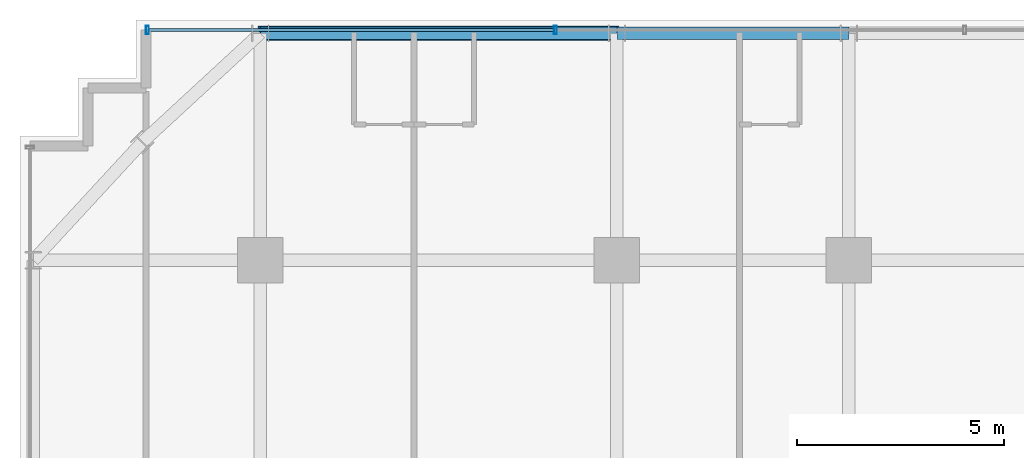
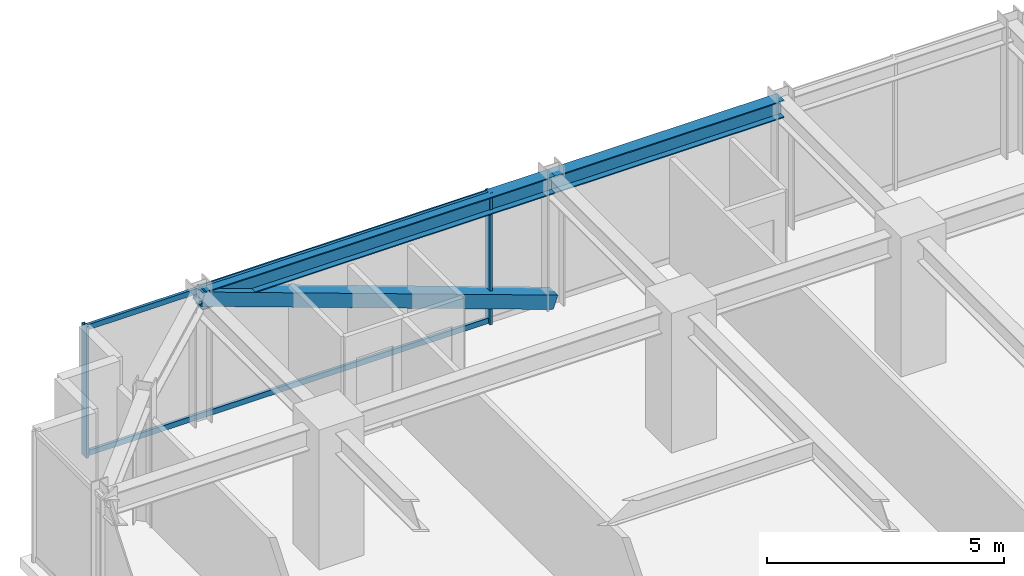
# One storey, part 23 of 38: 5 members, 2 beams, 1 element without a shape of its own.
"""IFC4 building model written with IfcOpenShell, lengths in metres."""

from ifc_helpers import new_model, si_unit, direction, frame, origin, origin_2d, place, context, subcontext, project, spatial, hollow_rectangle, i_section, extrude, source, transform, mapped, material, material_profile, profile_set, type_object, element, aggregate, save


model = new_model("IFC4")

# Units and contexts
model_context = context("Model", 3, precision=1e-05, world=origin(), true_north=direction((0.0, 1.0)))
body_context = subcontext(model_context, "Body", "Model", "MODEL_VIEW")
ifc_project = project(units=[si_unit("LENGTHUNIT", "METRE"), si_unit("AREAUNIT", "SQUARE_METRE"), si_unit("VOLUMEUNIT", "CUBIC_METRE"), si_unit("PLANEANGLEUNIT", "RADIAN"), si_unit("MASSUNIT", "GRAM", prefix="KILO")], contexts=[model_context])

# Site, building, storey
site_placement = place(None, origin())
site = spatial("IfcSite", under=ifc_project, at=site_placement, CompositionType="ELEMENT")
building_placement = place(site_placement, origin())
building = spatial("IfcBuilding", under=site, at=building_placement, Name="Nahalor Promenade Grand Hotel", CompositionType="ELEMENT")
storey_placement = place(building_placement, frame((0.0, 0.0, 163.60009765625)))
storey = spatial("IfcBuildingStorey", under=building, at=storey_placement, Name="L41", CompositionType="ELEMENT", Elevation=163.60009765625)

# Beams
ifc_material_1 = material(Name="Steel S355JR", Category="steel")
ifc_material_profile_1 = material_profile(ifc_material_1, i_section(OverallWidth=0.3, OverallDepth=0.45, WebThickness=0.014, FlangeThickness=0.026, at=origin_2d()), Name="HEB 450")
ifc_profile_set_1 = profile_set([ifc_material_profile_1], Name="Steel S355JR")
beam_type = type_object("IfcBeamType", Name="Beam-Spandrel-HEB450", PredefinedType="SPANDREL", material=ifc_profile_set_1)
shared_shape_1 = source(origin(), body_context, "Body", "SweptSolid", [
    extrude(i_section(OverallWidth=0.3, OverallDepth=0.45, WebThickness=0.014, FlangeThickness=0.026, at=origin_2d()), origin(), (0.0, 0.0, 1.0), 8.60009765625),
])
beam_1_placement = place(storey_placement, frame((-17.0, 22.47998046875, 3.164794921875), z_axis=(1.0, 0.0, 0.0), x_axis=(0.0, 1.0, 0.0)))
element("IfcBeam", 1, at=beam_1_placement, inside=storey, type_object=beam_type, Name="BM-L41-SP-N-0", PredefinedType="SPANDREL", context=body_context, shape_type="MappedRepresentation", body=[
    mapped(shared_shape_1, transform((0.0, 0.0, 0.0), scale=1.0)),
])
shared_shape_2 = source(origin(), body_context, "Body", "SweptSolid", [
    extrude(i_section(OverallWidth=0.3, OverallDepth=0.45, WebThickness=0.014, FlangeThickness=0.026, at=origin_2d()), origin(), (0.0, 0.0, 1.0), 5.599853515625),
])
beam_2_placement = place(storey_placement, frame((-8.39990234375, 22.47998046875, 3.164794921875), z_axis=(1.0, 0.0, 0.0), x_axis=(0.0, 1.0, 0.0)))
element("IfcBeam", 2, at=beam_2_placement, inside=storey, type_object=beam_type, Name="BM-L41-SP-N-1", PredefinedType="SPANDREL", context=body_context, shape_type="MappedRepresentation", body=[
    mapped(shared_shape_2, transform((0.0, 0.0, 0.0), scale=1.0)),
])

# Member
ifc_material_profile_2 = material_profile(ifc_material_1, hollow_rectangle(XDim=0.35, YDim=0.35, WallThickness=0.02, at=origin_2d()), Name="SHS 350x350x20")
ifc_profile_set_2 = profile_set([ifc_material_profile_2], Name="Steel S355JR")
member_type_1 = type_object("IfcMemberType", Name="Mem-VoidBrace-SHS350", PredefinedType="BRACE", material=ifc_profile_set_2)
shared_shape_3 = source(origin(), body_context, "Body", "SweptSolid", [
    extrude(hollow_rectangle(XDim=0.35, YDim=0.35, WallThickness=0.02, at=origin_2d()), origin(), (0.0, 0.0, 1.0), 9.138427734375),
])
member_1_placement = place(storey_placement, frame((-8.39990234375, 22.47998046875, 0.14990234375), z_axis=(-0.941094643271, 0.0, 0.338143272012), x_axis=(0.0, -1.0, 0.0)))
element("IfcMember", 3, at=member_1_placement, inside=storey, type_object=member_type_1, Name="EXO-L41-N-0", PredefinedType="BRACE", context=body_context, shape_type="MappedRepresentation", body=[
    mapped(shared_shape_3, transform((0.0, 0.0, 0.0), scale=1.0)),
])

# Curtain wall, members
ifc_material_2 = material(Name="Anodised Bronze Aluminium EN AW-6063 T6", Category="aluminium")
curtain_wall_type = type_object("IfcCurtainWallType", Name="CW3 Elliptical-Void Collar Unitised Curtain Wall", PredefinedType="USERDEFINED", material=ifc_material_2)
curtain_wall_placement = place(storey_placement, origin())
curtain_wall = element("IfcCurtainWall", 4, at=curtain_wall_placement, inside=storey, type_object=curtain_wall_type, Name="L41 Curtain Wall CW-L41-N-1", ObjectType="UNITISED_CURTAIN_WALL", PredefinedType="USERDEFINED")
ifc_material_profile_3 = material_profile(ifc_material_2, hollow_rectangle(XDim=0.07, YDim=0.14, WallThickness=0.004, at=origin_2d()), Name="CWT 70x140x4")
ifc_profile_set_3 = profile_set([ifc_material_profile_3], Name="Anodised Bronze Aluminium EN AW-6063 T6")
member_type_2 = type_object("IfcMemberType", Name="CWT3 Void Collar Transom 70x140", PredefinedType="USERDEFINED", material=ifc_profile_set_3)
shared_shape_4 = source(origin(), body_context, "Body", "SweptSolid", [
    extrude(hollow_rectangle(XDim=0.07, YDim=0.14, WallThickness=0.004, at=origin_2d()), origin(), (0.0, 0.0, 1.0), 9.77490234375),
])
member_2_placement = place(storey_placement, frame((-19.68994140625, 22.56005859375, 0.06982421875), z_axis=(1.0, 0.0, 0.0), x_axis=(0.0, 1.0, 0.0)))
member_2 = element("IfcMember", 5, at=member_2_placement, type_object=member_type_2, Name="CW-L41-N-1 Transom 0-0", ObjectType="TRANSOM", PredefinedType="USERDEFINED", context=body_context, shape_type="MappedRepresentation", body=[
    mapped(shared_shape_4, transform((0.0, 0.0, 0.0), scale=1.0)),
])
member_3_placement = place(storey_placement, frame((-19.68994140625, 22.56005859375, 3.31982421875), z_axis=(1.0, 0.0, 0.0), x_axis=(0.0, 1.0, 0.0)))
member_3 = element("IfcMember", 6, at=member_3_placement, type_object=member_type_2, Name="CW-L41-N-1 Transom 0-1", ObjectType="TRANSOM", PredefinedType="USERDEFINED", context=body_context, shape_type="MappedRepresentation", body=[
    mapped(shared_shape_4, transform((0.0, 0.0, 0.0), scale=1.0)),
])
ifc_material_profile_4 = material_profile(ifc_material_2, hollow_rectangle(XDim=0.07, YDim=0.2, WallThickness=0.005, at=origin_2d()), Name="CWM 70x200x5")
ifc_profile_set_4 = profile_set([ifc_material_profile_4], Name="Anodised Bronze Aluminium EN AW-6063 T6")
member_type_3 = type_object("IfcMemberType", Name="CWM3 Void Collar Mullion 70x200", PredefinedType="MULLION", material=ifc_profile_set_4)
shared_shape_5 = source(origin(), body_context, "Body", "SweptSolid", [
    extrude(hollow_rectangle(XDim=0.07, YDim=0.2, WallThickness=0.005, at=origin_2d()), origin(), (0.0, 0.0, 1.0), 3.389892578125),
])
member_4_placement = place(storey_placement, frame((-19.72509765625, 22.56005859375, 0.0), z_axis=(0.0, 0.0, 1.0), x_axis=(1.0, 0.0, 0.0)))
member_4 = element("IfcMember", 7, at=member_4_placement, type_object=member_type_3, Name="CW-L41-N-1 Mullion 0", PredefinedType="MULLION", context=body_context, shape_type="MappedRepresentation", body=[
    mapped(shared_shape_5, transform((0.0, 0.0, 0.0), scale=1.0)),
])
member_5_placement = place(storey_placement, frame((-9.8798828125, 22.56005859375, 0.0), z_axis=(0.0, 0.0, 1.0), x_axis=(1.0, 0.0, 0.0)))
member_5 = element("IfcMember", 8, at=member_5_placement, type_object=member_type_3, Name="CW-L41-N-1 Mullion 1", PredefinedType="MULLION", context=body_context, shape_type="MappedRepresentation", body=[
    mapped(shared_shape_5, transform((0.0, 0.0, 0.0), scale=1.0)),
])
aggregate(curtain_wall, [member_4, member_5, member_2, member_3])

save(model, "model.ifc")
